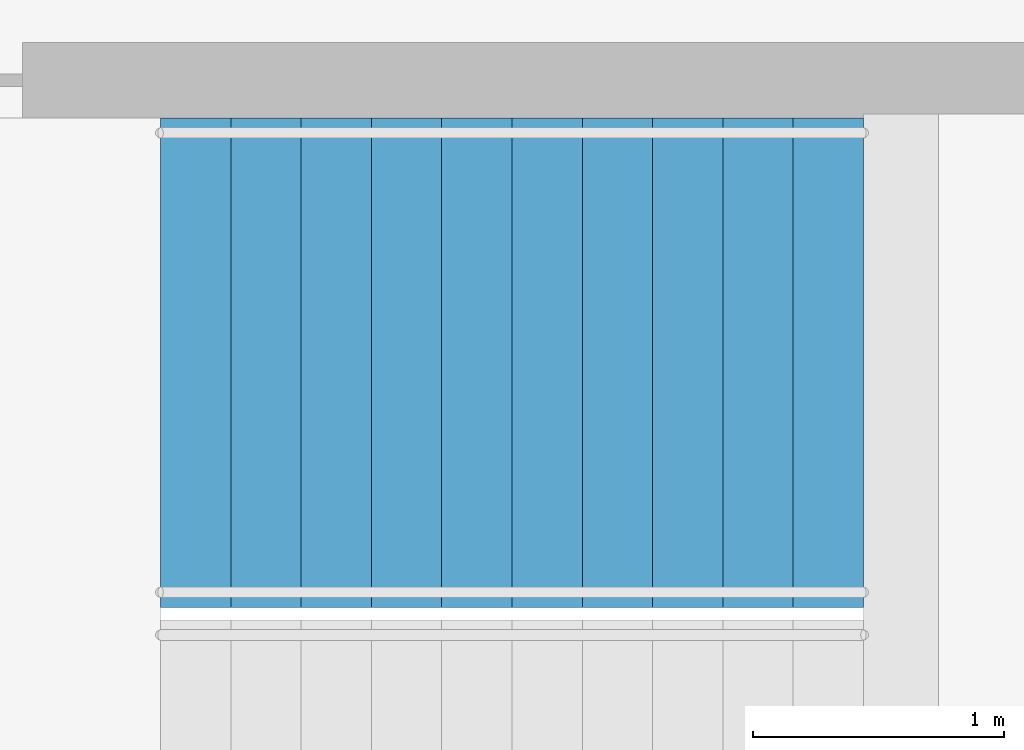
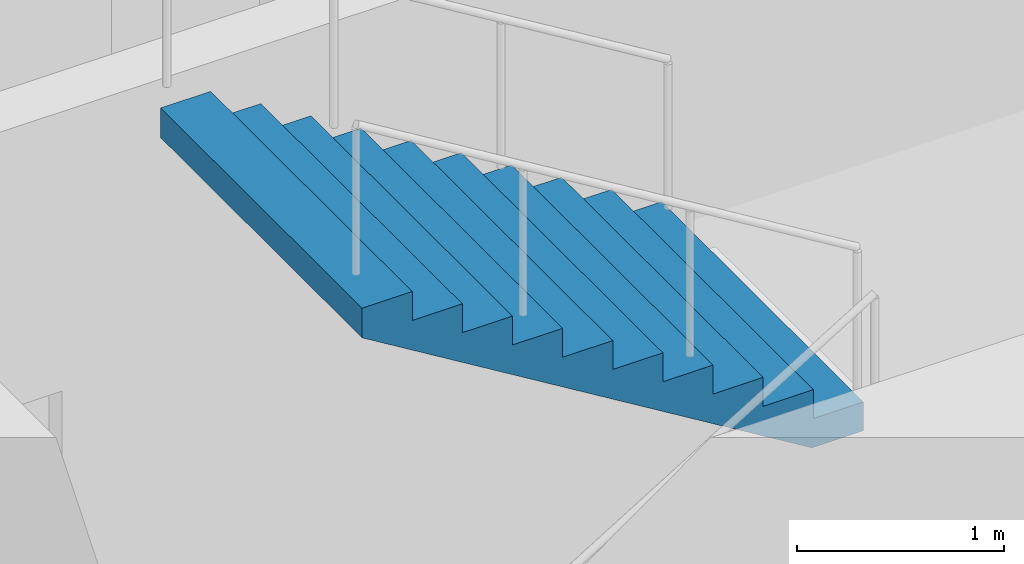
# One storey, part 20 of 23: 1 stair flight, 1 element without a shape of its own.
"""IFC4 building model written with IfcOpenShell, lengths in metres."""

from ifc_helpers import new_model, si_unit, direction, frame, origin, place, context, subcontext, project, spatial, triangles, material, type_object, element, aggregate, save


model = new_model("IFC4")

# Units and contexts
model_context = context("Model", 3, precision=1e-05, world=origin(), true_north=direction((0.0, 1.0)))
body_context = subcontext(model_context, "Body", "Model", "MODEL_VIEW")
ifc_project = project(units=[si_unit("LENGTHUNIT", "METRE"), si_unit("AREAUNIT", "SQUARE_METRE"), si_unit("VOLUMEUNIT", "CUBIC_METRE"), si_unit("PLANEANGLEUNIT", "RADIAN"), si_unit("MASSUNIT", "GRAM", prefix="KILO")], contexts=[model_context])

# Site, building, storey
site_placement = place(None, origin())
site = spatial("IfcSite", under=ifc_project, at=site_placement, CompositionType="ELEMENT")
building_placement = place(site_placement, origin())
building = spatial("IfcBuilding", under=site, at=building_placement, Name="Orbita Commons", CompositionType="ELEMENT")
storey_placement = place(building_placement, frame((0.0, 0.0, 46.449951171875)))
storey = spatial("IfcBuildingStorey", under=building, at=storey_placement, Name="L11", CompositionType="ELEMENT", Elevation=46.449951171875)

# Stair, stair flight
ifc_material_1 = material(Name="Precast concrete C40/50", Category="concrete")
stair_type = type_object("IfcStairType", Name="Exit stair S1 2 flights 11 risers 170", PredefinedType="HALF_TURN_STAIR", material=ifc_material_1)
stair_placement = place(storey_placement, origin())
stair = element("IfcStair", 1, at=stair_placement, inside=storey, type_object=stair_type, Name="Exit stair S1 L11", PredefinedType="HALF_TURN_STAIR")
ifc_material_2 = material(Name="Precast concrete C40/50", Category="concrete")
stair_flight_type = type_object("IfcStairFlightType", Name="Stair flight 11 risers 170 x 280", PredefinedType="STRAIGHT", material=ifc_material_2)
stair_flight_placement = place(storey_placement, frame((23.25, 29.27490234375, 1.875), z_axis=(0.0, 0.0, 1.0), x_axis=(-1.0, 0.0, 0.0)))
stair_flight = element("IfcStairFlight", 2, at=stair_flight_placement, type_object=stair_flight_type, Name="S1 flight 2", NumberOfRisers=11, NumberOfTreads=10, PredefinedType="STRAIGHT", RiserHeight=0.170454545, TreadLength=0.28, context=body_context, shape_type="Tessellation", body=[
    triangles([(0.0, 0.974976, 0.0), (0.0, 0.974976, 0.021307), (0.0, 0.81248, 0.021307), (0.0, 0.81248, 0.0), (0.0, 0.649984, 0.021307), (0.0, 0.649984, 0.0), (0.0, 0.487488, 0.021307), (0.0, 0.487488, 0.0), (0.0, 0.324992, 0.021307), (0.0, 0.324992, 0.0), (0.0, 0.162496, 0.021307), (0.0, 0.162496, 0.0), (0.0, 0.0, 0.021307), (0.0, 0.0, 0.0), (0.0, -0.162496, 0.021307), (0.0, -0.162496, 0.0), (0.0, -0.324992, 0.021307), (0.0, -0.324992, 0.0), (0.0, -0.487488, 0.021307), (0.0, -0.487488, 0.0), (0.0, -0.649984, 0.021307), (0.0, -0.649984, 0.0), (0.0, -0.81248, 0.021307), (0.0, -0.81248, 0.0), (0.0, -0.974976, 0.021307), (0.0, -0.974976, 0.0), (0.0, 0.974976, 0.042614), (0.0, 0.81248, 0.042614), (0.0, 0.649984, 0.042614), (0.0, 0.487488, 0.042614), (0.0, 0.324992, 0.042614), (0.0, 0.162496, 0.042614), (0.0, 0.0, 0.042614), (0.0, -0.162496, 0.042614), (0.0, -0.324992, 0.042614), (0.0, -0.487488, 0.042614), (0.0, -0.649984, 0.042614), (0.0, -0.81248, 0.042614), (0.0, -0.974976, 0.042614), (0.0, 0.974976, 0.06392), (0.0, 0.81248, 0.06392), (0.0, 0.649984, 0.06392), (0.0, 0.487488, 0.06392), (0.0, 0.324992, 0.06392), (0.0, 0.162496, 0.06392), (0.0, 0.0, 0.06392), (0.0, -0.162496, 0.06392), (0.0, -0.324992, 0.06392), (0.0, -0.487488, 0.06392), (0.0, -0.649984, 0.06392), (0.0, -0.81248, 0.06392), (0.0, -0.974976, 0.06392), (0.0, 0.974976, 0.085227), (0.0, 0.81248, 0.085227), (0.0, 0.649984, 0.085227), (0.0, 0.487488, 0.085227), (0.0, 0.324992, 0.085227), (0.0, 0.162496, 0.085227), (0.0, 0.0, 0.085227), (0.0, -0.162496, 0.085227), (0.0, -0.324992, 0.085227), (0.0, -0.487488, 0.085227), (0.0, -0.649984, 0.085227), (0.0, -0.81248, 0.085227), (0.0, -0.974976, 0.085227), (0.0, 0.974976, 0.106534), (0.0, 0.81248, 0.106534), (0.0, 0.649984, 0.106534), (0.0, 0.487488, 0.106534), (0.0, 0.324992, 0.106534), (0.0, 0.162496, 0.106534), (0.0, 0.0, 0.106534), (0.0, -0.162496, 0.106534), (0.0, -0.324992, 0.106534), (0.0, -0.487488, 0.106534), (0.0, -0.649984, 0.106534), (0.0, -0.81248, 0.106534), (0.0, -0.974976, 0.106534), (0.0, 0.974976, 0.127841), (0.0, 0.81248, 0.127841), (0.0, 0.649984, 0.127841), (0.0, 0.487488, 0.127841), (0.0, 0.324992, 0.127841), (0.0, 0.162496, 0.127841), (0.0, 0.0, 0.127841), (0.0, -0.162496, 0.127841), (0.0, -0.324992, 0.127841), (0.0, -0.487488, 0.127841), (0.0, -0.649984, 0.127841), (0.0, -0.81248, 0.127841), (0.0, -0.974976, 0.127841), (0.0, 0.974976, 0.149148), (0.0, 0.81248, 0.149148), (0.0, 0.649984, 0.149148), (0.0, 0.487488, 0.149148), (0.0, 0.324992, 0.149148), (0.0, 0.162496, 0.149148), (0.0, 0.0, 0.149148), (0.0, -0.162496, 0.149148), (0.0, -0.324992, 0.149148), (0.0, -0.487488, 0.149148), (0.0, -0.649984, 0.149148), (0.0, -0.81248, 0.149148), (0.0, -0.974976, 0.149148), (0.0, 0.974976, 0.170455), (0.0, 0.81248, 0.170455), (0.0, 0.649984, 0.170455), (0.0, 0.487488, 0.170455), (0.0, 0.324992, 0.170455), (0.0, 0.162496, 0.170455), (0.0, 0.0, 0.170455), (0.0, -0.162496, 0.170455), (0.0, -0.324992, 0.170455), (0.0, -0.487488, 0.170455), (0.0, -0.649984, 0.170455), (0.0, -0.81248, 0.170455), (0.0, -0.974976, 0.170455), (0.28, 0.974976, 0.170455), (0.28, 0.81248, 0.170455), (0.28, 0.649984, 0.170455), (0.28, 0.487488, 0.170455), (0.28, 0.324992, 0.170455), (0.28, 0.162496, 0.170455), (0.28, 0.0, 0.170455), (0.28, -0.162496, 0.170455), (0.28, -0.324992, 0.170455), (0.28, -0.487488, 0.170455), (0.28, -0.649984, 0.170455), (0.28, -0.81248, 0.170455), (0.28, -0.974976, 0.170455), (0.28, 0.974976, 0.340909), (0.28, 0.81248, 0.340909), (0.28, 0.649984, 0.340909), (0.28, 0.487488, 0.340909), (0.28, 0.324992, 0.340909), (0.28, 0.162496, 0.340909), (0.28, 0.0, 0.340909), (0.28, -0.162496, 0.340909), (0.28, -0.324992, 0.340909), (0.28, -0.487488, 0.340909), (0.28, -0.649984, 0.340909), (0.28, -0.81248, 0.340909), (0.28, -0.974976, 0.340909), (0.56, 0.974976, 0.340909), (0.56, 0.81248, 0.340909), (0.56, 0.649984, 0.340909), (0.56, 0.487488, 0.340909), (0.56, 0.324992, 0.340909), (0.56, 0.162496, 0.340909), (0.56, 0.0, 0.340909), (0.56, -0.162496, 0.340909), (0.56, -0.324992, 0.340909), (0.56, -0.487488, 0.340909), (0.56, -0.649984, 0.340909), (0.56, -0.81248, 0.340909), (0.56, -0.974976, 0.340909), (0.56, 0.974976, 0.511364), (0.56, 0.81248, 0.511364), (0.56, 0.649984, 0.511364), (0.56, 0.487488, 0.511364), (0.56, 0.324992, 0.511364), (0.56, 0.162496, 0.511364), (0.56, 0.0, 0.511364), (0.56, -0.162496, 0.511364), (0.56, -0.324992, 0.511364), (0.56, -0.487488, 0.511364), (0.56, -0.649984, 0.511364), (0.56, -0.81248, 0.511364), (0.56, -0.974976, 0.511364), (0.84, 0.974976, 0.511364), (0.84, 0.81248, 0.511364), (0.84, 0.649984, 0.511364), (0.84, 0.487488, 0.511364), (0.84, 0.324992, 0.511364), (0.84, 0.162496, 0.511364), (0.84, 0.0, 0.511364), (0.84, -0.162496, 0.511364), (0.84, -0.324992, 0.511364), (0.84, -0.487488, 0.511364), (0.84, -0.649984, 0.511364), (0.84, -0.81248, 0.511364), (0.84, -0.974976, 0.511364), (0.84, 0.974976, 0.681818), (0.84, 0.81248, 0.681818), (0.84, 0.649984, 0.681818), (0.84, 0.487488, 0.681818), (0.84, 0.324992, 0.681818), (0.84, 0.162496, 0.681818), (0.84, 0.0, 0.681818), (0.84, -0.162496, 0.681818), (0.84, -0.324992, 0.681818), (0.84, -0.487488, 0.681818), (0.84, -0.649984, 0.681818), (0.84, -0.81248, 0.681818), (0.84, -0.974976, 0.681818), (1.12, 0.974976, 0.681818), (1.12, 0.81248, 0.681818), (1.12, 0.649984, 0.681818), (1.12, 0.487488, 0.681818), (1.12, 0.324992, 0.681818), (1.12, 0.162496, 0.681818), (1.12, 0.0, 0.681818), (1.12, -0.162496, 0.681818), (1.12, -0.324992, 0.681818), (1.12, -0.487488, 0.681818), (1.12, -0.649984, 0.681818), (1.12, -0.81248, 0.681818), (1.12, -0.974976, 0.681818), (1.12, 0.974976, 0.852273), (1.12, 0.81248, 0.852273), (1.12, 0.649984, 0.852273), (1.12, 0.487488, 0.852273), (1.12, 0.324992, 0.852273), (1.12, 0.162496, 0.852273), (1.12, 0.0, 0.852273), (1.12, -0.162496, 0.852273), (1.12, -0.324992, 0.852273), (1.12, -0.487488, 0.852273), (1.12, -0.649984, 0.852273), (1.12, -0.81248, 0.852273), (1.12, -0.974976, 0.852273), (1.4, 0.974976, 0.852273), (1.4, 0.81248, 0.852273), (1.4, 0.649984, 0.852273), (1.4, 0.487488, 0.852273), (1.4, 0.324992, 0.852273), (1.4, 0.162496, 0.852273), (1.4, 0.0, 0.852273), (1.4, -0.162496, 0.852273), (1.4, -0.324992, 0.852273), (1.4, -0.487488, 0.852273), (1.4, -0.649984, 0.852273), (1.4, -0.81248, 0.852273), (1.4, -0.974976, 0.852273), (1.4, 0.974976, 1.022727), (1.4, 0.81248, 1.022727), (1.4, 0.649984, 1.022727), (1.4, 0.487488, 1.022727), (1.4, 0.324992, 1.022727), (1.4, 0.162496, 1.022727), (1.4, 0.0, 1.022727), (1.4, -0.162496, 1.022727), (1.4, -0.324992, 1.022727), (1.4, -0.487488, 1.022727), (1.4, -0.649984, 1.022727), (1.4, -0.81248, 1.022727), (1.4, -0.974976, 1.022727), (1.68, 0.974976, 1.022727), (1.68, 0.81248, 1.022727), (1.68, 0.649984, 1.022727), (1.68, 0.487488, 1.022727), (1.68, 0.324992, 1.022727), (1.68, 0.162496, 1.022727), (1.68, 0.0, 1.022727), (1.68, -0.162496, 1.022727), (1.68, -0.324992, 1.022727), (1.68, -0.487488, 1.022727), (1.68, -0.649984, 1.022727), (1.68, -0.81248, 1.022727), (1.68, -0.974976, 1.022727), (1.68, 0.974976, 1.193182), (1.68, 0.81248, 1.193182), (1.68, 0.649984, 1.193182), (1.68, 0.487488, 1.193182), (1.68, 0.324992, 1.193182), (1.68, 0.162496, 1.193182), (1.68, 0.0, 1.193182), (1.68, -0.162496, 1.193182), (1.68, -0.324992, 1.193182), (1.68, -0.487488, 1.193182), (1.68, -0.649984, 1.193182), (1.68, -0.81248, 1.193182), (1.68, -0.974976, 1.193182), (1.96, 0.974976, 1.193182), (1.96, 0.81248, 1.193182), (1.96, 0.649984, 1.193182), (1.96, 0.487488, 1.193182), (1.96, 0.324992, 1.193182), (1.96, 0.162496, 1.193182), (1.96, 0.0, 1.193182), (1.96, -0.162496, 1.193182), (1.96, -0.324992, 1.193182), (1.96, -0.487488, 1.193182), (1.96, -0.649984, 1.193182), (1.96, -0.81248, 1.193182), (1.96, -0.974976, 1.193182), (1.96, 0.974976, 1.363636), (1.96, 0.81248, 1.363636), (1.96, 0.649984, 1.363636), (1.96, 0.487488, 1.363636), (1.96, 0.324992, 1.363636), (1.96, 0.162496, 1.363636), (1.96, 0.0, 1.363636), (1.96, -0.162496, 1.363636), (1.96, -0.324992, 1.363636), (1.96, -0.487488, 1.363636), (1.96, -0.649984, 1.363636), (1.96, -0.81248, 1.363636), (1.96, -0.974976, 1.363636), (2.24, 0.974976, 1.363636), (2.24, 0.81248, 1.363636), (2.24, 0.649984, 1.363636), (2.24, 0.487488, 1.363636), (2.24, 0.324992, 1.363636), (2.24, 0.162496, 1.363636), (2.24, 0.0, 1.363636), (2.24, -0.162496, 1.363636), (2.24, -0.324992, 1.363636), (2.24, -0.487488, 1.363636), (2.24, -0.649984, 1.363636), (2.24, -0.81248, 1.363636), (2.24, -0.974976, 1.363636), (2.24, 0.974976, 1.534091), (2.24, 0.81248, 1.534091), (2.24, 0.649984, 1.534091), (2.24, 0.487488, 1.534091), (2.24, 0.324992, 1.534091), (2.24, 0.162496, 1.534091), (2.24, 0.0, 1.534091), (2.24, -0.162496, 1.534091), (2.24, -0.324992, 1.534091), (2.24, -0.487488, 1.534091), (2.24, -0.649984, 1.534091), (2.24, -0.81248, 1.534091), (2.24, -0.974976, 1.534091), (2.52, 0.974976, 1.534091), (2.52, 0.81248, 1.534091), (2.52, 0.649984, 1.534091), (2.52, 0.487488, 1.534091), (2.52, 0.324992, 1.534091), (2.52, 0.162496, 1.534091), (2.52, 0.0, 1.534091), (2.52, -0.162496, 1.534091), (2.52, -0.324992, 1.534091), (2.52, -0.487488, 1.534091), (2.52, -0.649984, 1.534091), (2.52, -0.81248, 1.534091), (2.52, -0.974976, 1.534091), (2.52, 0.974976, 1.704545), (2.52, 0.81248, 1.704545), (2.52, 0.649984, 1.704545), (2.52, 0.487488, 1.704545), (2.52, 0.324992, 1.704545), (2.52, 0.162496, 1.704545), (2.52, 0.0, 1.704545), (2.52, -0.162496, 1.704545), (2.52, -0.324992, 1.704545), (2.52, -0.487488, 1.704545), (2.52, -0.649984, 1.704545), (2.52, -0.81248, 1.704545), (2.52, -0.974976, 1.704545), (2.8, 0.974976, 1.704545), (2.8, 0.81248, 1.704545), (2.8, 0.649984, 1.704545), (2.8, 0.487488, 1.704545), (2.8, 0.324992, 1.704545), (2.8, 0.162496, 1.704545), (2.8, 0.0, 1.704545), (2.8, -0.162496, 1.704545), (2.8, -0.324992, 1.704545), (2.8, -0.487488, 1.704545), (2.8, -0.649984, 1.704545), (2.8, -0.81248, 1.704545), (2.8, -0.974976, 1.704545), (2.8, 0.974976, 1.682609), (2.8, 0.81248, 1.682609), (2.8, 0.649984, 1.682609), (2.8, 0.487488, 1.682609), (2.8, 0.324992, 1.682609), (2.8, 0.162496, 1.682609), (2.8, 0.0, 1.682609), (2.8, -0.162496, 1.682609), (2.8, -0.324992, 1.682609), (2.8, -0.487488, 1.682609), (2.8, -0.649984, 1.682609), (2.8, -0.81248, 1.682609), (2.8, -0.974976, 1.682609), (2.8, 0.974976, 1.660672), (2.8, 0.81248, 1.660672), (2.8, 0.649984, 1.660672), (2.8, 0.487488, 1.660672), (2.8, 0.324992, 1.660672), (2.8, 0.162496, 1.660672), (2.8, 0.0, 1.660672), (2.8, -0.162496, 1.660672), (2.8, -0.324992, 1.660672), (2.8, -0.487488, 1.660672), (2.8, -0.649984, 1.660672), (2.8, -0.81248, 1.660672), (2.8, -0.974976, 1.660672), (2.8, 0.974976, 1.638735), (2.8, 0.81248, 1.638735), (2.8, 0.649984, 1.638735), (2.8, 0.487488, 1.638735), (2.8, 0.324992, 1.638735), (2.8, 0.162496, 1.638735), (2.8, 0.0, 1.638735), (2.8, -0.162496, 1.638735), (2.8, -0.324992, 1.638735), (2.8, -0.487488, 1.638735), (2.8, -0.649984, 1.638735), (2.8, -0.81248, 1.638735), (2.8, -0.974976, 1.638735), (2.8, 0.974976, 1.616798), (2.8, 0.81248, 1.616798), (2.8, 0.649984, 1.616798), (2.8, 0.487488, 1.616798), (2.8, 0.324992, 1.616798), (2.8, 0.162496, 1.616798), (2.8, 0.0, 1.616798), (2.8, -0.162496, 1.616798), (2.8, -0.324992, 1.616798), (2.8, -0.487488, 1.616798), (2.8, -0.649984, 1.616798), (2.8, -0.81248, 1.616798), (2.8, -0.974976, 1.616798), (2.8, 0.974976, 1.594861), (2.8, 0.81248, 1.594861), (2.8, 0.649984, 1.594861), (2.8, 0.487488, 1.594861), (2.8, 0.324992, 1.594861), (2.8, 0.162496, 1.594861), (2.8, 0.0, 1.594861), (2.8, -0.162496, 1.594861), (2.8, -0.324992, 1.594861), (2.8, -0.487488, 1.594861), (2.8, -0.649984, 1.594861), (2.8, -0.81248, 1.594861), (2.8, -0.974976, 1.594861), (2.8, 0.974976, 1.572925), (2.8, 0.81248, 1.572925), (2.8, 0.649984, 1.572925), (2.8, 0.487488, 1.572925), (2.8, 0.324992, 1.572925), (2.8, 0.162496, 1.572925), (2.8, 0.0, 1.572925), (2.8, -0.162496, 1.572925), (2.8, -0.324992, 1.572925), (2.8, -0.487488, 1.572925), (2.8, -0.649984, 1.572925), (2.8, -0.81248, 1.572925), (2.8, -0.974976, 1.572925), (2.8, 0.974976, 1.550988), (2.8, 0.81248, 1.550988), (2.8, 0.649984, 1.550988), (2.8, 0.487488, 1.550988), (2.8, 0.324992, 1.550988), (2.8, 0.162496, 1.550988), (2.8, 0.0, 1.550988), (2.8, -0.162496, 1.550988), (2.8, -0.324992, 1.550988), (2.8, -0.487488, 1.550988), (2.8, -0.649984, 1.550988), (2.8, -0.81248, 1.550988), (2.8, -0.974976, 1.550988), (2.8, 0.974976, 1.529051), (2.8, 0.81248, 1.529051), (2.8, 0.649984, 1.529051), (2.8, 0.487488, 1.529051), (2.8, 0.324992, 1.529051), (2.8, 0.162496, 1.529051), (2.8, 0.0, 1.529051), (2.8, -0.162496, 1.529051), (2.8, -0.324992, 1.529051), (2.8, -0.487488, 1.529051), (2.8, -0.649984, 1.529051), (2.8, -0.81248, 1.529051), (2.8, -0.974976, 1.529051), (0.288279, 0.974976, 0.0), (0.288279, 0.81248, 0.0), (0.288279, 0.649984, 0.0), (0.288279, 0.487488, 0.0), (0.288279, 0.324992, 0.0), (0.288279, 0.162496, 0.0), (0.288279, 0.0, 0.0), (0.288279, -0.162496, 0.0), (0.288279, -0.324992, 0.0), (0.288279, -0.487488, 0.0), (0.288279, -0.649984, 0.0), (0.288279, -0.81248, 0.0), (0.288279, -0.974976, 0.0)], [[3, 2, 1], [4, 3, 1], [5, 3, 4], [6, 5, 4], [7, 5, 6], [8, 7, 6], [9, 7, 8], [10, 9, 8], [11, 9, 10], [12, 11, 10], [13, 11, 12], [14, 13, 12], [15, 13, 14], [16, 15, 14], [17, 15, 16], [18, 17, 16], [19, 17, 18], [20, 19, 18], [21, 19, 20], [22, 21, 20], [23, 21, 22], [24, 23, 22], [25, 23, 24], [26, 25, 24], [28, 27, 2], [3, 28, 2], [29, 28, 3], [5, 29, 3], [30, 29, 5], [7, 30, 5], [31, 30, 7], [9, 31, 7], [32, 31, 9], [11, 32, 9], [33, 32, 11], [13, 33, 11], [34, 33, 13], [15, 34, 13], [35, 34, 15], [17, 35, 15], [36, 35, 17], [19, 36, 17], [37, 36, 19], [21, 37, 19], [38, 37, 21], [23, 38, 21], [39, 38, 23], [25, 39, 23], [41, 40, 27], [28, 41, 27], [42, 41, 28], [29, 42, 28], [43, 42, 29], [30, 43, 29], [44, 43, 30], [31, 44, 30], [45, 44, 31], [32, 45, 31], [46, 45, 32], [33, 46, 32], [47, 46, 33], [34, 47, 33], [48, 47, 34], [35, 48, 34], [49, 48, 35], [36, 49, 35], [50, 49, 36], [37, 50, 36], [51, 50, 37], [38, 51, 37], [52, 51, 38], [39, 52, 38], [54, 53, 40], [41, 54, 40], [55, 54, 41], [42, 55, 41], [56, 55, 42], [43, 56, 42], [57, 56, 43], [44, 57, 43], [58, 57, 44], [45, 58, 44], [59, 58, 45], [46, 59, 45], [60, 59, 46], [47, 60, 46], [61, 60, 47], [48, 61, 47], [62, 61, 48], [49, 62, 48], [63, 62, 49], [50, 63, 49], [64, 63, 50], [51, 64, 50], [65, 64, 51], [52, 65, 51], [67, 66, 53], [54, 67, 53], [68, 67, 54], [55, 68, 54], [69, 68, 55], [56, 69, 55], [70, 69, 56], [57, 70, 56], [71, 70, 57], [58, 71, 57], [72, 71, 58], [59, 72, 58], [73, 72, 59], [60, 73, 59], [74, 73, 60], [61, 74, 60], [75, 74, 61], [62, 75, 61], [76, 75, 62], [63, 76, 62], [77, 76, 63], [64, 77, 63], [78, 77, 64], [65, 78, 64], [80, 79, 66], [67, 80, 66], [81, 80, 67], [68, 81, 67], [82, 81, 68], [69, 82, 68], [83, 82, 69], [70, 83, 69], [84, 83, 70], [71, 84, 70], [85, 84, 71], [72, 85, 71], [86, 85, 72], [73, 86, 72], [87, 86, 73], [74, 87, 73], [88, 87, 74], [75, 88, 74], [89, 88, 75], [76, 89, 75], [90, 89, 76], [77, 90, 76], [91, 90, 77], [78, 91, 77], [93, 92, 79], [80, 93, 79], [94, 93, 80], [81, 94, 80], [95, 94, 81], [82, 95, 81], [96, 95, 82], [83, 96, 82], [97, 96, 83], [84, 97, 83], [98, 97, 84], [85, 98, 84], [99, 98, 85], [86, 99, 85], [100, 99, 86], [87, 100, 86], [101, 100, 87], [88, 101, 87], [102, 101, 88], [89, 102, 88], [103, 102, 89], [90, 103, 89], [104, 103, 90], [91, 104, 90], [106, 105, 92], [93, 106, 92], [107, 106, 93], [94, 107, 93], [108, 107, 94], [95, 108, 94], [109, 108, 95], [96, 109, 95], [110, 109, 96], [97, 110, 96], [111, 110, 97], [98, 111, 97], [112, 111, 98], [99, 112, 98], [113, 112, 99], [100, 113, 99], [114, 113, 100], [101, 114, 100], [115, 114, 101], [102, 115, 101], [116, 115, 102], [103, 116, 102], [117, 116, 103], [104, 117, 103], [119, 118, 105], [106, 119, 105], [120, 119, 106], [107, 120, 106], [121, 120, 107], [108, 121, 107], [122, 121, 108], [109, 122, 108], [123, 122, 109], [110, 123, 109], [124, 123, 110], [111, 124, 110], [125, 124, 111], [112, 125, 111], [126, 125, 112], [113, 126, 112], [127, 126, 113], [114, 127, 113], [128, 127, 114], [115, 128, 114], [129, 128, 115], [116, 129, 115], [130, 129, 116], [117, 130, 116], [132, 131, 118], [119, 132, 118], [133, 132, 119], [120, 133, 119], [134, 133, 120], [121, 134, 120], [135, 134, 121], [122, 135, 121], [136, 135, 122], [123, 136, 122], [137, 136, 123], [124, 137, 123], [138, 137, 124], [125, 138, 124], [139, 138, 125], [126, 139, 125], [140, 139, 126], [127, 140, 126], [141, 140, 127], [128, 141, 127], [142, 141, 128], [129, 142, 128], [143, 142, 129], [130, 143, 129], [145, 144, 131], [132, 145, 131], [146, 145, 132], [133, 146, 132], [147, 146, 133], [134, 147, 133], [148, 147, 134], [135, 148, 134], [149, 148, 135], [136, 149, 135], [150, 149, 136], [137, 150, 136], [151, 150, 137], [138, 151, 137], [152, 151, 138], [139, 152, 138], [153, 152, 139], [140, 153, 139], [154, 153, 140], [141, 154, 140], [155, 154, 141], [142, 155, 141], [156, 155, 142], [143, 156, 142], [158, 157, 144], [145, 158, 144], [159, 158, 145], [146, 159, 145], [160, 159, 146], [147, 160, 146], [161, 160, 147], [148, 161, 147], [162, 161, 148], [149, 162, 148], [163, 162, 149], [150, 163, 149], [164, 163, 150], [151, 164, 150], [165, 164, 151], [152, 165, 151], [166, 165, 152], [153, 166, 152], [167, 166, 153], [154, 167, 153], [168, 167, 154], [155, 168, 154], [169, 168, 155], [156, 169, 155], [171, 170, 157], [158, 171, 157], [172, 171, 158], [159, 172, 158], [173, 172, 159], [160, 173, 159], [174, 173, 160], [161, 174, 160], [175, 174, 161], [162, 175, 161], [176, 175, 162], [163, 176, 162], [177, 176, 163], [164, 177, 163], [178, 177, 164], [165, 178, 164], [179, 178, 165], [166, 179, 165], [180, 179, 166], [167, 180, 166], [181, 180, 167], [168, 181, 167], [182, 181, 168], [169, 182, 168], [184, 183, 170], [171, 184, 170], [185, 184, 171], [172, 185, 171], [186, 185, 172], [173, 186, 172], [187, 186, 173], [174, 187, 173], [188, 187, 174], [175, 188, 174], [189, 188, 175], [176, 189, 175], [190, 189, 176], [177, 190, 176], [191, 190, 177], [178, 191, 177], [192, 191, 178], [179, 192, 178], [193, 192, 179], [180, 193, 179], [194, 193, 180], [181, 194, 180], [195, 194, 181], [182, 195, 181], [197, 196, 183], [184, 197, 183], [198, 197, 184], [185, 198, 184], [199, 198, 185], [186, 199, 185], [200, 199, 186], [187, 200, 186], [201, 200, 187], [188, 201, 187], [202, 201, 188], [189, 202, 188], [203, 202, 189], [190, 203, 189], [204, 203, 190], [191, 204, 190], [205, 204, 191], [192, 205, 191], [206, 205, 192], [193, 206, 192], [207, 206, 193], [194, 207, 193], [208, 207, 194], [195, 208, 194], [210, 209, 196], [197, 210, 196], [211, 210, 197], [198, 211, 197], [212, 211, 198], [199, 212, 198], [213, 212, 199], [200, 213, 199], [214, 213, 200], [201, 214, 200], [215, 214, 201], [202, 215, 201], [216, 215, 202], [203, 216, 202], [217, 216, 203], [204, 217, 203], [218, 217, 204], [205, 218, 204], [219, 218, 205], [206, 219, 205], [220, 219, 206], [207, 220, 206], [221, 220, 207], [208, 221, 207], [223, 222, 209], [210, 223, 209], [224, 223, 210], [211, 224, 210], [225, 224, 211], [212, 225, 211], [226, 225, 212], [213, 226, 212], [227, 226, 213], [214, 227, 213], [228, 227, 214], [215, 228, 214], [229, 228, 215], [216, 229, 215], [230, 229, 216], [217, 230, 216], [231, 230, 217], [218, 231, 217], [232, 231, 218], [219, 232, 218], [233, 232, 219], [220, 233, 219], [234, 233, 220], [221, 234, 220], [236, 235, 222], [223, 236, 222], [237, 236, 223], [224, 237, 223], [238, 237, 224], [225, 238, 224], [239, 238, 225], [226, 239, 225], [240, 239, 226], [227, 240, 226], [241, 240, 227], [228, 241, 227], [242, 241, 228], [229, 242, 228], [243, 242, 229], [230, 243, 229], [244, 243, 230], [231, 244, 230], [245, 244, 231], [232, 245, 231], [246, 245, 232], [233, 246, 232], [247, 246, 233], [234, 247, 233], [249, 248, 235], [236, 249, 235], [250, 249, 236], [237, 250, 236], [251, 250, 237], [238, 251, 237], [252, 251, 238], [239, 252, 238], [253, 252, 239], [240, 253, 239], [254, 253, 240], [241, 254, 240], [255, 254, 241], [242, 255, 241], [256, 255, 242], [243, 256, 242], [257, 256, 243], [244, 257, 243], [258, 257, 244], [245, 258, 244], [259, 258, 245], [246, 259, 245], [260, 259, 246], [247, 260, 246], [262, 261, 248], [249, 262, 248], [263, 262, 249], [250, 263, 249], [264, 263, 250], [251, 264, 250], [265, 264, 251], [252, 265, 251], [266, 265, 252], [253, 266, 252], [267, 266, 253], [254, 267, 253], [268, 267, 254], [255, 268, 254], [269, 268, 255], [256, 269, 255], [270, 269, 256], [257, 270, 256], [271, 270, 257], [258, 271, 257], [272, 271, 258], [259, 272, 258], [273, 272, 259], [260, 273, 259], [275, 274, 261], [262, 275, 261], [276, 275, 262], [263, 276, 262], [277, 276, 263], [264, 277, 263], [278, 277, 264], [265, 278, 264], [279, 278, 265], [266, 279, 265], [280, 279, 266], [267, 280, 266], [281, 280, 267], [268, 281, 267], [282, 281, 268], [269, 282, 268], [283, 282, 269], [270, 283, 269], [284, 283, 270], [271, 284, 270], [285, 284, 271], [272, 285, 271], [286, 285, 272], [273, 286, 272], [288, 287, 274], [275, 288, 274], [289, 288, 275], [276, 289, 275], [290, 289, 276], [277, 290, 276], [291, 290, 277], [278, 291, 277], [292, 291, 278], [279, 292, 278], [293, 292, 279], [280, 293, 279], [294, 293, 280], [281, 294, 280], [295, 294, 281], [282, 295, 281], [296, 295, 282], [283, 296, 282], [297, 296, 283], [284, 297, 283], [298, 297, 284], [285, 298, 284], [299, 298, 285], [286, 299, 285], [301, 300, 287], [288, 301, 287], [302, 301, 288], [289, 302, 288], [303, 302, 289], [290, 303, 289], [304, 303, 290], [291, 304, 290], [305, 304, 291], [292, 305, 291], [306, 305, 292], [293, 306, 292], [307, 306, 293], [294, 307, 293], [308, 307, 294], [295, 308, 294], [309, 308, 295], [296, 309, 295], [310, 309, 296], [297, 310, 296], [311, 310, 297], [298, 311, 297], [312, 311, 298], [299, 312, 298], [314, 313, 300], [301, 314, 300], [315, 314, 301], [302, 315, 301], [316, 315, 302], [303, 316, 302], [317, 316, 303], [304, 317, 303], [318, 317, 304], [305, 318, 304], [319, 318, 305], [306, 319, 305], [320, 319, 306], [307, 320, 306], [321, 320, 307], [308, 321, 307], [322, 321, 308], [309, 322, 308], [323, 322, 309], [310, 323, 309], [324, 323, 310], [311, 324, 310], [325, 324, 311], [312, 325, 311], [327, 326, 313], [314, 327, 313], [328, 327, 314], [315, 328, 314], [329, 328, 315], [316, 329, 315], [330, 329, 316], [317, 330, 316], [331, 330, 317], [318, 331, 317], [332, 331, 318], [319, 332, 318], [333, 332, 319], [320, 333, 319], [334, 333, 320], [321, 334, 320], [335, 334, 321], [322, 335, 321], [336, 335, 322], [323, 336, 322], [337, 336, 323], [324, 337, 323], [338, 337, 324], [325, 338, 324], [340, 339, 326], [327, 340, 326], [341, 340, 327], [328, 341, 327], [342, 341, 328], [329, 342, 328], [343, 342, 329], [330, 343, 329], [344, 343, 330], [331, 344, 330], [345, 344, 331], [332, 345, 331], [346, 345, 332], [333, 346, 332], [347, 346, 333], [334, 347, 333], [348, 347, 334], [335, 348, 334], [349, 348, 335], [336, 349, 335], [350, 349, 336], [337, 350, 336], [351, 350, 337], [338, 351, 337], [353, 352, 339], [340, 353, 339], [354, 353, 340], [341, 354, 340], [355, 354, 341], [342, 355, 341], [356, 355, 342], [343, 356, 342], [357, 356, 343], [344, 357, 343], [358, 357, 344], [345, 358, 344], [359, 358, 345], [346, 359, 345], [360, 359, 346], [347, 360, 346], [361, 360, 347], [348, 361, 347], [362, 361, 348], [349, 362, 348], [363, 362, 349], [350, 363, 349], [364, 363, 350], [351, 364, 350], [366, 365, 352], [353, 366, 352], [367, 366, 353], [354, 367, 353], [368, 367, 354], [355, 368, 354], [369, 368, 355], [356, 369, 355], [370, 369, 356], [357, 370, 356], [371, 370, 357], [358, 371, 357], [372, 371, 358], [359, 372, 358], [373, 372, 359], [360, 373, 359], [374, 373, 360], [361, 374, 360], [375, 374, 361], [362, 375, 361], [376, 375, 362], [363, 376, 362], [377, 376, 363], [364, 377, 363], [379, 378, 365], [366, 379, 365], [380, 379, 366], [367, 380, 366], [381, 380, 367], [368, 381, 367], [382, 381, 368], [369, 382, 368], [383, 382, 369], [370, 383, 369], [384, 383, 370], [371, 384, 370], [385, 384, 371], [372, 385, 371], [386, 385, 372], [373, 386, 372], [387, 386, 373], [374, 387, 373], [388, 387, 374], [375, 388, 374], [389, 388, 375], [376, 389, 375], [390, 389, 376], [377, 390, 376], [392, 391, 378], [379, 392, 378], [393, 392, 379], [380, 393, 379], [394, 393, 380], [381, 394, 380], [395, 394, 381], [382, 395, 381], [396, 395, 382], [383, 396, 382], [397, 396, 383], [384, 397, 383], [398, 397, 384], [385, 398, 384], [399, 398, 385], [386, 399, 385], [400, 399, 386], [387, 400, 386], [401, 400, 387], [388, 401, 387], [402, 401, 388], [389, 402, 388], [403, 402, 389], [390, 403, 389], [405, 404, 391], [392, 405, 391], [406, 405, 392], [393, 406, 392], [407, 406, 393], [394, 407, 393], [408, 407, 394], [395, 408, 394], [409, 408, 395], [396, 409, 395], [410, 409, 396], [397, 410, 396], [411, 410, 397], [398, 411, 397], [412, 411, 398], [399, 412, 398], [413, 412, 399], [400, 413, 399], [414, 413, 400], [401, 414, 400], [415, 414, 401], [402, 415, 401], [416, 415, 402], [403, 416, 402], [418, 417, 404], [405, 418, 404], [419, 418, 405], [406, 419, 405], [420, 419, 406], [407, 420, 406], [421, 420, 407], [408, 421, 407], [422, 421, 408], [409, 422, 408], [423, 422, 409], [410, 423, 409], [424, 423, 410], [411, 424, 410], [425, 424, 411], [412, 425, 411], [426, 425, 412], [413, 426, 412], [427, 426, 413], [414, 427, 413], [428, 427, 414], [415, 428, 414], [429, 428, 415], [416, 429, 415], [431, 430, 417], [418, 431, 417], [432, 431, 418], [419, 432, 418], [433, 432, 419], [420, 433, 419], [434, 433, 420], [421, 434, 420], [435, 434, 421], [422, 435, 421], [436, 435, 422], [423, 436, 422], [437, 436, 423], [424, 437, 423], [438, 437, 424], [425, 438, 424], [439, 438, 425], [426, 439, 425], [440, 439, 426], [427, 440, 426], [441, 440, 427], [428, 441, 427], [442, 441, 428], [429, 442, 428], [444, 443, 430], [431, 444, 430], [445, 444, 431], [432, 445, 431], [446, 445, 432], [433, 446, 432], [447, 446, 433], [434, 447, 433], [448, 447, 434], [435, 448, 434], [449, 448, 435], [436, 449, 435], [450, 449, 436], [437, 450, 436], [451, 450, 437], [438, 451, 437], [452, 451, 438], [439, 452, 438], [453, 452, 439], [440, 453, 439], [454, 453, 440], [441, 454, 440], [455, 454, 441], [442, 455, 441], [457, 456, 443], [444, 457, 443], [458, 457, 444], [445, 458, 444], [459, 458, 445], [446, 459, 445], [460, 459, 446], [447, 460, 446], [461, 460, 447], [448, 461, 447], [462, 461, 448], [449, 462, 448], [463, 462, 449], [450, 463, 449], [464, 463, 450], [451, 464, 450], [465, 464, 451], [452, 465, 451], [466, 465, 452], [453, 466, 452], [467, 466, 453], [454, 467, 453], [468, 467, 454], [455, 468, 454], [470, 469, 456], [457, 470, 456], [471, 470, 457], [458, 471, 457], [472, 471, 458], [459, 472, 458], [473, 472, 459], [460, 473, 459], [474, 473, 460], [461, 474, 460], [475, 474, 461], [462, 475, 461], [476, 475, 462], [463, 476, 462], [477, 476, 463], [464, 477, 463], [478, 477, 464], [465, 478, 464], [479, 478, 465], [466, 479, 465], [480, 479, 466], [467, 480, 466], [481, 480, 467], [468, 481, 467], [4, 1, 469], [470, 4, 469], [6, 4, 470], [471, 6, 470], [8, 6, 471], [472, 8, 471], [10, 8, 472], [473, 10, 472], [12, 10, 473], [474, 12, 473], [14, 12, 474], [475, 14, 474], [16, 14, 475], [476, 16, 475], [18, 16, 476], [477, 18, 476], [20, 18, 477], [478, 20, 477], [22, 20, 478], [479, 22, 478], [24, 22, 479], [480, 24, 479], [26, 24, 480], [481, 26, 480], [456, 469, 1], [26, 481, 468], [443, 456, 1], [26, 468, 455], [430, 443, 1], [26, 455, 442], [417, 430, 1], [26, 442, 429], [404, 417, 1], [26, 429, 416], [391, 404, 1], [26, 416, 403], [378, 391, 1], [26, 403, 390], [365, 378, 1], [26, 390, 377], [339, 352, 365], [377, 364, 351], [326, 339, 365], [377, 351, 338], [300, 313, 326], [338, 325, 312], [300, 326, 365], [377, 338, 312], [274, 287, 300], [312, 299, 286], [274, 300, 365], [377, 312, 286], [248, 261, 274], [286, 273, 260], [248, 274, 365], [377, 286, 260], [222, 235, 248], [260, 247, 234], [222, 248, 365], [377, 260, 234], [196, 209, 222], [234, 221, 208], [196, 222, 365], [377, 234, 208], [170, 183, 196], [208, 195, 182], [170, 196, 365], [377, 208, 182], [144, 157, 170], [182, 169, 156], [144, 170, 365], [377, 182, 156], [118, 131, 144], [156, 143, 130], [118, 144, 365], [377, 156, 130], [118, 365, 1], [26, 377, 130], [92, 105, 118], [130, 117, 104], [79, 92, 118], [130, 104, 91], [66, 79, 118], [130, 91, 78], [53, 66, 118], [130, 78, 65], [40, 53, 118], [130, 65, 52], [27, 40, 118], [130, 52, 39], [2, 27, 118], [130, 39, 25], [1, 2, 118], [130, 25, 26]], closed=True),
])
aggregate(stair, [stair_flight])

save(model, "model.ifc")
